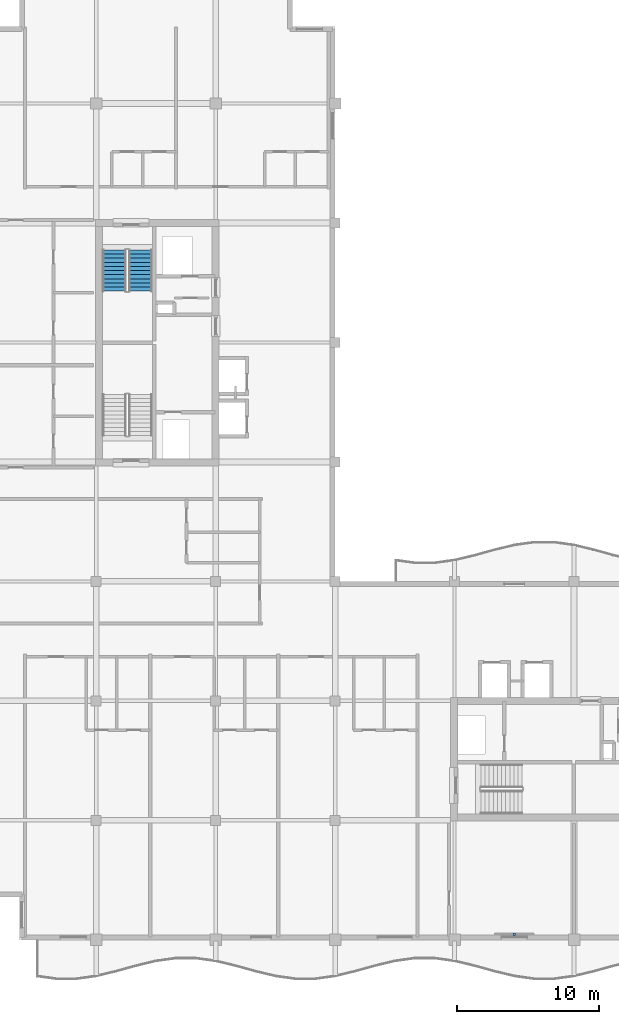
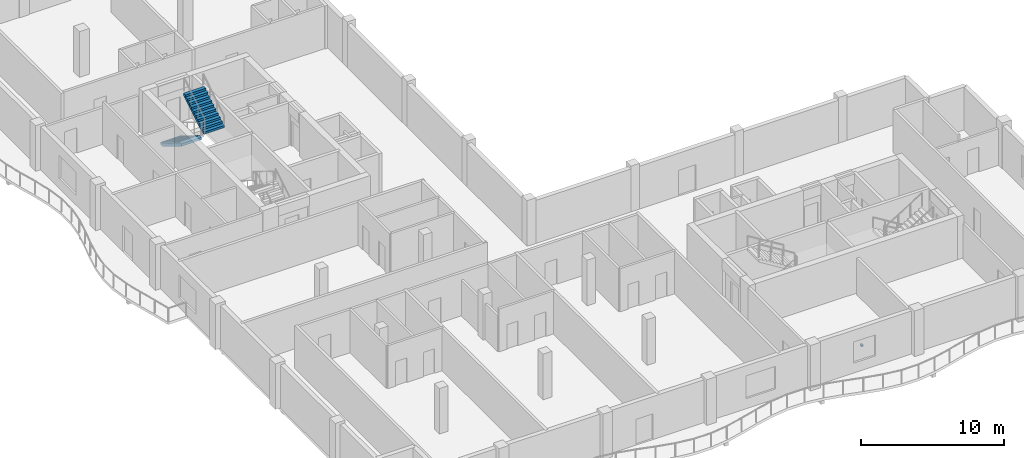
# One storey, part 7 of 10: 2 stair flights, 1 discrete accessory, 1 element without a shape of its own.
"""IFC4 building model written with IfcOpenShell, lengths in metres."""

import ifcopenshell
import ifcopenshell.guid

model = None  # the IFC model being written
_history = None  # IfcOwnerHistory: only IFC2X3 demands one
_inside = {}  # id of a spatial element -> (the spatial element, [elements in it])
_under = {}  # id of a project, library or spatial element -> (it, [spatial elements below it])
_declared = {}  # id of a project -> (the project, [libraries it declares])
_typed = {}  # id of a type object -> (the type object, [elements of that type])
_made_of = {}  # id of a material, layer set ... -> (it, [elements and type objects made of it])


def new_model(schema):
    """Start an empty IFC model of exactly this schema.

    Asked for "IFC4X3", IfcOpenShell would pick the latest addendum, in which some entities
    have other attributes; the version numbers below select the first issue.
    IFC2X3 requires an IfcOwnerHistory on every rooted entity: one is made here for all.
    """
    global model, _history
    if schema == "IFC4X3":
        model = ifcopenshell.file(schema_version=(4, 3, 0, 0))
    else:
        model = ifcopenshell.file(schema=schema)
    _inside.clear()
    _under.clear()
    _declared.clear()
    _typed.clear()
    _made_of.clear()
    _history = None
    if model.schema == "IFC2X3":
        org = make("IfcOrganization", Name="unknown")
        user = make(
            "IfcPersonAndOrganization",
            ThePerson=make("IfcPerson", FamilyName="unknown"),
            TheOrganization=org,
        )
        app = make(
            "IfcApplication",
            ApplicationDeveloper=org,
            Version="unknown",
            ApplicationFullName="unknown",
            ApplicationIdentifier="unknown",
        )
        _history = make(
            "IfcOwnerHistory",
            OwningUser=user,
            OwningApplication=app,
            ChangeAction="ADDED",
            CreationDate=0,
        )
    return model


def make(cls, **values):
    """One entity of the class cls with the attributes given. An attribute that is None is left unset."""
    return model.create_entity(
        cls, **{name: value for name, value in values.items() if value is not None}
    )


def rooted(cls, **values):
    """An entity with a GlobalId (a new one), such as an element, a storey or a relation."""
    return make(cls, GlobalId=ifcopenshell.guid.new(), OwnerHistory=_history, **values)


def si_unit(unit_type, name, prefix=None):
    """IfcSIUnit, for example si_unit("LENGTHUNIT", "METRE", prefix="MILLI")."""
    return make("IfcSIUnit", UnitType=unit_type, Prefix=prefix, Name=name)


def assignment(units):
    """IfcUnitAssignment: the units of a project."""
    return None if units is None else make("IfcUnitAssignment", Units=units)


def point(xyz):
    """IfcCartesianPoint."""
    return None if xyz is None else make("IfcCartesianPoint", Coordinates=xyz)


def direction(xyz):
    """IfcDirection."""
    return None if xyz is None else make("IfcDirection", DirectionRatios=xyz)


def frame(location, z_axis=None, x_axis=None):
    """IfcAxis2Placement3D, a coordinate frame: its origin and axes. An axis left out is left unset."""
    return make(
        "IfcAxis2Placement3D",
        Location=point(location),
        Axis=direction(z_axis),
        RefDirection=direction(x_axis),
    )


def frame_2d(location, x_axis=None):
    """IfcAxis2Placement2D, a coordinate frame in the plane: its origin and x axis."""
    return make(
        "IfcAxis2Placement2D", Location=point(location), RefDirection=direction(x_axis)
    )


def origin():
    """The frame at (0, 0, 0) with its axes left unset."""
    return frame((0.0, 0.0, 0.0))


def origin_2d():
    """The frame at (0, 0) in the plane with its x axis left unset."""
    return frame_2d((0.0, 0.0))


def place(relative_to, where):
    """IfcLocalPlacement: puts the frame where relative to a parent placement (None: the world)."""
    return make(
        "IfcLocalPlacement", PlacementRelTo=relative_to, RelativePlacement=where
    )


def context(
    kind, dimensions, precision=None, world=None, true_north=None, identifier=None
):
    """IfcGeometricRepresentationContext, for example the 3D "Model" context."""
    return make(
        "IfcGeometricRepresentationContext",
        ContextIdentifier=identifier,
        ContextType=kind,
        CoordinateSpaceDimension=dimensions,
        Precision=precision,
        WorldCoordinateSystem=world,
        TrueNorth=true_north,
    )


def subcontext(parent, identifier, kind, view, scale=None):
    """IfcGeometricRepresentationSubContext, for example "Body" below "Model"."""
    return make(
        "IfcGeometricRepresentationSubContext",
        ContextIdentifier=identifier,
        ContextType=kind,
        ParentContext=parent,
        TargetScale=scale,
        TargetView=view,
    )


def project(units=None, contexts=None):
    """IfcProject with its units and contexts."""
    return rooted(
        "IfcProject",
        Name="project",
        RepresentationContexts=contexts,
        UnitsInContext=assignment(units),
    )


def spatial(cls, under=None, at=None, **own):
    """A site, building, storey or space (cls), placed at a placement, below another one or the project."""
    s = rooted(cls, ObjectPlacement=at, **own)
    if under is not None:
        _under.setdefault(under.id(), (under, []))[1].append(s)
    return s


def polyline(points):
    """IfcPolyline through the points."""
    return make("IfcPolyline", Points=[point(p) for p in points])


def profile(cls, at=None, kind="AREA", **sizes):
    """A parametric profile (cls). Its sizes go by their IFC names, for example OverallWidth=200.0."""
    return make(cls, ProfileType=kind, Position=at, **sizes)


def rectangle(**sizes):
    """IfcRectangleProfileDef."""
    return profile("IfcRectangleProfileDef", **sizes)


def outline(outer, holes=None, kind="AREA"):
    """IfcArbitraryClosedProfileDef: a profile drawn as a closed curve; with holes, ...WithVoids."""
    if holes is None:
        return make("IfcArbitraryClosedProfileDef", ProfileType=kind, OuterCurve=outer)
    return make(
        "IfcArbitraryProfileDefWithVoids",
        ProfileType=kind,
        OuterCurve=outer,
        InnerCurves=holes,
    )


def extrude(swept, where, along, depth):
    """IfcExtrudedAreaSolid: the profile swept, set in the frame where, extruded along a direction by depth."""
    return make(
        "IfcExtrudedAreaSolid",
        SweptArea=swept,
        Position=where,
        ExtrudedDirection=direction(along),
        Depth=depth,
    )


def shape(context_of_items, identifier, shape_type, items):
    """IfcShapeRepresentation: the items that make up one representation, for example the "Body"."""
    return make(
        "IfcShapeRepresentation",
        ContextOfItems=context_of_items,
        RepresentationIdentifier=identifier,
        RepresentationType=shape_type,
        Items=items,
    )


def material(Name=None, Category=None):
    """IfcMaterial."""
    return make("IfcMaterial", Name=Name, Category=Category)


def made_of(thing, what):
    """Note that an element or type object is made of a material, layer set ...; save() writes the relation."""
    if what is not None:
        _made_of.setdefault(what.id(), (what, []))[1].append(thing)
    return thing


def type_object(cls, material=None, **own):
    """A type object (cls), such as IfcWallType, which elements share."""
    return made_of(rooted(cls, **own), material)


def element(
    cls,
    number,
    at=None,
    inside=None,
    cuts=None,
    type_object=None,
    material=None,
    context=None,
    identifier="Body",
    shape_type=None,
    held_by="IfcProductDefinitionShape",
    body=None,
    shapes=None,
    **own,
):
    """One element of the class cls, such as IfcWall. Its Tag is "e" and its number.

    at: its placement. inside: the storey or other place that contains it. cuts: it is an
    opening in that element (IfcRelVoidsElement). A single representation is given by context,
    identifier, shape_type and body (its items); several are given by shapes. held_by: the class
    of the entity that holds the representations. save() writes the other relations.
    """
    e = rooted(cls, Tag="e%d" % number, ObjectPlacement=at, **own)
    if body is not None:
        shapes = [shape(context, identifier, shape_type, body)]
    if shapes is not None:
        e.Representation = make(held_by, Representations=shapes)
    if inside is not None:
        _inside.setdefault(inside.id(), (inside, []))[1].append(e)
    if cuts is not None:
        rooted(
            "IfcRelVoidsElement", RelatingBuildingElement=cuts, RelatedOpeningElement=e
        )
    if type_object is not None:
        _typed.setdefault(type_object.id(), (type_object, []))[1].append(e)
    return made_of(e, material)


def aggregate(whole, parts):
    """IfcRelAggregates: a whole, such as a stair, and the parts it consists of."""
    return rooted("IfcRelAggregates", RelatingObject=whole, RelatedObjects=parts)


def save(model, path):
    """Write the relations noted so far, then the file.

    IfcRelAggregates (storeys below a building ...), IfcRelContainedInSpatialStructure (elements
    in a storey), IfcRelDefinesByType, IfcRelAssociatesMaterial and IfcRelDeclares: one each for
    every whole, place, type object, material and project.
    """
    for whole, parts in _under.values():
        aggregate(whole, parts)
    for where, things in _inside.values():
        rooted(
            "IfcRelContainedInSpatialStructure",
            RelatedElements=things,
            RelatingStructure=where,
        )
    for kind, things in _typed.values():
        rooted("IfcRelDefinesByType", RelatedObjects=things, RelatingType=kind)
    for what, things in _made_of.values():
        rooted("IfcRelAssociatesMaterial", RelatedObjects=things, RelatingMaterial=what)
    for by, libraries in _declared.values():
        rooted("IfcRelDeclares", RelatingContext=by, RelatedDefinitions=libraries)
    model.write(path)


model = new_model("IFC4")

# Units and contexts
model_context = context("Model", 3, precision=1e-05, world=origin(), true_north=direction((0.0, 1.0)))
body_context = subcontext(model_context, "Body", "Model", "MODEL_VIEW")
ifc_project = project(units=[si_unit("LENGTHUNIT", "METRE"), si_unit("AREAUNIT", "SQUARE_METRE"), si_unit("VOLUMEUNIT", "CUBIC_METRE"), si_unit("PLANEANGLEUNIT", "RADIAN"), si_unit("MASSUNIT", "GRAM", prefix="KILO")], contexts=[model_context])

# Site, building, storey
site_placement = place(None, origin())
site = spatial("IfcSite", under=ifc_project, at=site_placement, CompositionType="ELEMENT")
building_placement = place(site_placement, origin())
building = spatial("IfcBuilding", under=site, at=building_placement, Name="Koriwani Terraces Tower", CompositionType="ELEMENT")
storey_placement = place(building_placement, frame((0.0, 0.0, 304.699951171875)))
storey = spatial("IfcBuildingStorey", under=building, at=storey_placement, Name="L75", CompositionType="ELEMENT", Elevation=304.699951171875)

# Stair, stair flights
ifc_material_1 = material(Name="Concrete C40/50", Category="concrete")
stair_type = type_object("IfcStairType", Name="STAIR_CORE_DOGLEG_1650", PredefinedType="TWO_STRAIGHT_RUN_STAIR", material=ifc_material_1)
stair_placement = place(storey_placement, origin())
stair = element("IfcStair", 1, at=stair_placement, inside=storey, type_object=stair_type, Name="L75 West Core Exit Stair 2", PredefinedType="HALF_TURN_STAIR")
stair_flight_type = type_object("IfcStairFlightType", Name="STAIR_FLIGHT_RC_1650", PredefinedType="STRAIGHT", material=ifc_material_1)
stair_flight_1_placement = place(storey_placement, frame((18.074951171875, 56.89990234375, 0.0), z_axis=(0.0, 0.0, 1.0), x_axis=(0.0, -1.0, 0.0)))
stair_flight_1 = element("IfcStairFlight", 2, at=stair_flight_1_placement, type_object=stair_flight_type, Name="ST-W2 flight 1", NumberOfRisers=11, NumberOfTreads=10, PredefinedType="STRAIGHT", RiserHeight=0.177272727, TreadLength=0.29, context=body_context, shape_type="SweptSolid", body=[
    extrude(outline(polyline([(0.0, 0.0), (0.0, 0.17724609375), (0.2900390625, 0.17724609375), (0.2900390625, 0.3544921875), (0.580078125, 0.3544921875), (0.580078125, 0.53173828125), (0.8701171875, 0.53173828125), (0.8701171875, 0.708984375), (1.159912109375, 0.708984375), (1.159912109375, 0.886474609375), (1.449951171875, 0.886474609375), (1.449951171875, 1.063720703125), (1.739990234375, 1.063720703125), (1.739990234375, 1.240966796875), (2.030029296875, 1.240966796875), (2.030029296875, 1.418212890625), (2.320068359375, 1.418212890625), (2.320068359375, 1.595458984375), (2.610107421875, 1.595458984375), (2.610107421875, 1.772705078125), (2.89990234375, 1.772705078125), (2.89990234375, 1.949951171875), (2.89990234375, 1.561767578125), (0.344970703125, 0.0), (0.0, 0.0)])), frame((0.0, 0.824951171875, 0.0), z_axis=(0.0, -1.0, 0.0), x_axis=(1.0, 0.0, 0.0)), (0.0, 0.0, 1.0), 1.64990234375),
])
stair_flight_2_placement = place(storey_placement, frame((19.925048828125, 54.0, 1.949951171875), z_axis=(0.0, 0.0, 1.0), x_axis=(0.0, 1.0, 0.0)))
stair_flight_2 = element("IfcStairFlight", 3, at=stair_flight_2_placement, type_object=stair_flight_type, Name="ST-W2 flight 2", NumberOfRisers=11, NumberOfTreads=10, PredefinedType="STRAIGHT", RiserHeight=0.177272727, TreadLength=0.29, context=body_context, shape_type="SweptSolid", body=[
    extrude(outline(polyline([(0.0, 0.0), (0.0, 0.17724609375), (0.2900390625, 0.17724609375), (0.2900390625, 0.3544921875), (0.580078125, 0.3544921875), (0.580078125, 0.53173828125), (0.8701171875, 0.53173828125), (0.8701171875, 0.708984375), (1.159912109375, 0.708984375), (1.159912109375, 0.886474609375), (1.449951171875, 0.886474609375), (1.449951171875, 1.063720703125), (1.739990234375, 1.063720703125), (1.739990234375, 1.240966796875), (2.030029296875, 1.240966796875), (2.030029296875, 1.418212890625), (2.320068359375, 1.418212890625), (2.320068359375, 1.595458984375), (2.610107421875, 1.595458984375), (2.610107421875, 1.772705078125), (2.89990234375, 1.772705078125), (2.89990234375, 1.949951171875), (2.89990234375, 1.561767578125), (0.344970703125, 0.0), (0.0, 0.0)])), frame((0.0, 0.824951171875, 0.0), z_axis=(0.0, -1.0, 0.0), x_axis=(1.0, 0.0, 0.0)), (0.0, 0.0, 1.0), 1.64990234375),
])
aggregate(stair, [stair_flight_1, stair_flight_2])

# Discrete accessory
ifc_material_2 = material(Name="Steel ASTM A572 Grade 50", Category="steel")
discrete_accessory_type = type_object("IfcDiscreteAccessoryType", Name="BAGUETTE_STANDOFF_BRACKET", PredefinedType="BRACKET", material=ifc_material_2)
discrete_accessory_placement = place(storey_placement, frame((46.199951171875, 8.7900390625, 1.7451171875), z_axis=(0.0, 0.0, 1.0), x_axis=(-1.0, 0.0, 0.0)))
element("IfcDiscreteAccessory", 4, at=discrete_accessory_placement, inside=storey, type_object=discrete_accessory_type, Name="L75 Terracotta Baguette Bracket (S-12)", PredefinedType="BRACKET", context=body_context, shape_type="SweptSolid", body=[
    extrude(rectangle(XDim=0.159912109375, YDim=0.199951171875, at=origin_2d()), origin(), (0.0, 0.0, 1.0), 0.179931640625),
])

save(model, "model.ifc")
